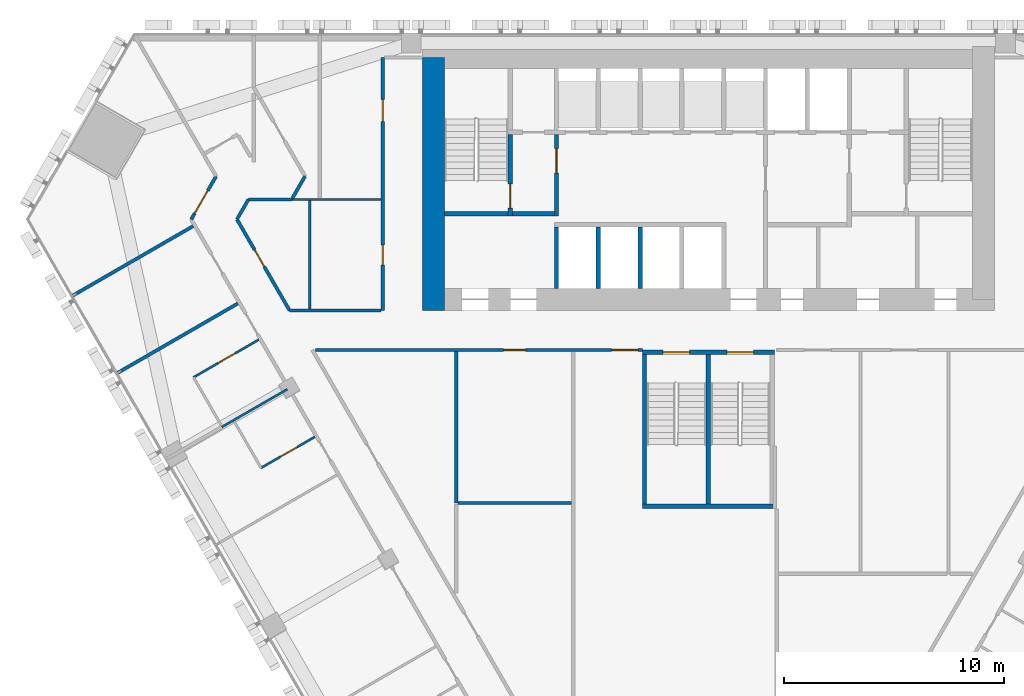
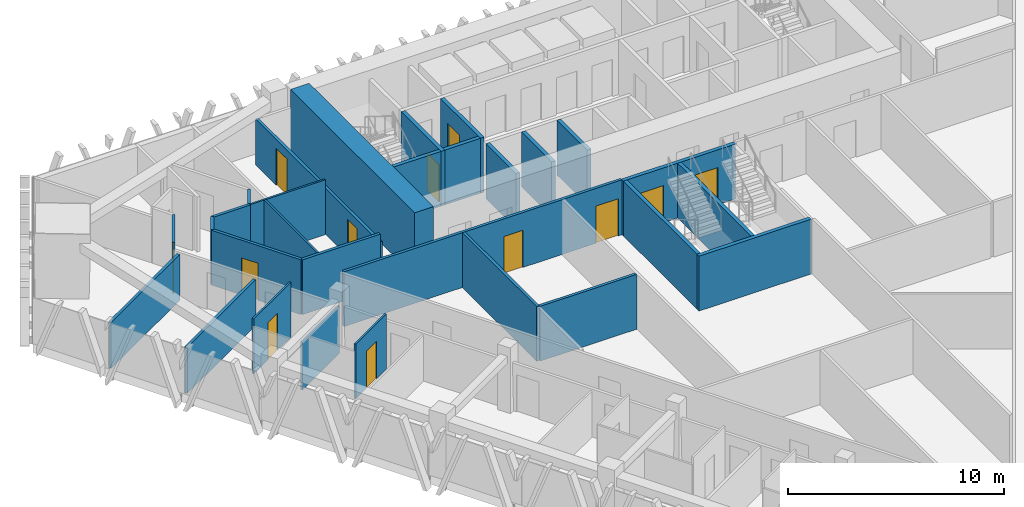
# One storey, part 12 of 18: 29 walls, 12 doors, 12 openings.
"""IFC4 building model written with IfcOpenShell, lengths in metres."""

from ifc_helpers import new_model, si_unit, direction, frame, frame_2d, origin, place, context, subcontext, project, spatial, rectangle, extrude, material, layer, layer_set, type_object, element, fill, save


model = new_model("IFC4")

# Units and contexts
model_context = context("Model", 3, precision=1e-05, world=origin(), true_north=direction((0.0, 1.0)))
body_context = subcontext(model_context, "Body", "Model", "MODEL_VIEW")
ifc_project = project(units=[si_unit("LENGTHUNIT", "METRE"), si_unit("AREAUNIT", "SQUARE_METRE"), si_unit("VOLUMEUNIT", "CUBIC_METRE"), si_unit("PLANEANGLEUNIT", "RADIAN"), si_unit("MASSUNIT", "GRAM", prefix="KILO")], contexts=[model_context])

# Site, building, storey
site_placement = place(None, origin())
site = spatial("IfcSite", under=ifc_project, at=site_placement, CompositionType="ELEMENT")
building_placement = place(site_placement, origin())
building = spatial("IfcBuilding", under=site, at=building_placement, Name="Altiplano Prism Tower", CompositionType="ELEMENT")
storey_placement = place(building_placement, frame((0.0, 0.0, 37.800048828125)))
storey = spatial("IfcBuildingStorey", under=building, at=storey_placement, Name="L08", CompositionType="ELEMENT", Elevation=37.800048828125)

# Wall
ifc_material_1 = material(Name="Concrete C70/85", Category="concrete")
ifc_layer_1 = layer(ifc_material_1, 1.0)
ifc_layer_set_1 = layer_set([ifc_layer_1], Name="Concrete C70/85")
wall_type_1 = type_object("IfcWallType", Name="Core wall 1000", PredefinedType="SHEAR", material=ifc_layer_set_1)
wall_1_placement = place(storey_placement, frame((72.5, 103.89990234375, 0.0), z_axis=(0.0, 0.0, 1.0), x_axis=(0.0, -1.0, 0.0)))
element("IfcWall", 1, at=wall_1_placement, inside=storey, type_object=wall_type_1, Name="Core wall W L08", PredefinedType="SHEAR", context=body_context, shape_type="SweptSolid", body=[
    extrude(rectangle(XDim=11.5, YDim=1.0, at=frame_2d((5.75, 0.0))), origin(), (0.0, 0.0, 1.0), 3.599853515625),
])

# Wall, opening, door
ifc_material_2 = material(Name="Plasterboard on steel stud", Category="steel")
ifc_layer_2 = layer(ifc_material_2, 0.10009765625)
ifc_layer_set_2 = layer_set([ifc_layer_2], Name="Plasterboard on steel stud")
wall_type_2 = type_object("IfcWallType", Name="Partition 100 unit", PredefinedType="PARTITIONING", material=ifc_layer_set_2)
wall_2_placement = place(storey_placement, frame((61.6015625, 89.358642578125, 0.0), z_axis=(0.0, 0.0, 1.0), x_axis=(0.866032454348, 0.499987787867, 0.0)))
wall_2 = element("IfcWall", 2, at=wall_2_placement, inside=storey, type_object=wall_type_2, Name="Partition P02 L08 053", PredefinedType="PARTITIONING", context=body_context, shape_type="SweptSolid", body=[
    extrude(rectangle(XDim=3.4248046875, YDim=0.10009765625, at=frame_2d((1.71240234375, 0.0))), origin(), (0.0, 0.0, 1.0), 3.099853515625),
])
opening_1_placement = place(wall_2_placement, frame((1.300048828125, 0.0, 0.0)))
opening_1 = element("IfcOpeningElement", 3, at=opening_1_placement, cuts=wall_2, Name="Opening D0280", PredefinedType="OPENING", context=body_context, shape_type="SweptSolid", body=[
    extrude(rectangle(XDim=0.89990234375, YDim=2.10009765625, at=frame_2d((0.449951171875, 1.050048828125))), frame((0.0, 0.060546875, 0.0), z_axis=(0.0, -1.0, 0.0), x_axis=(1.0, 0.0, 0.0)), (0.0, 0.0, 1.0), 0.12109375),
])
ifc_material_3 = material(Name="Timber", Category="wood")
door_type_1 = type_object("IfcDoorType", Name="Accessible ensuite door 900 x 2100", OperationType="NOTDEFINED", PredefinedType="NOTDEFINED", material=ifc_material_3)
door_1_placement = place(opening_1_placement, origin())
door_1 = element("IfcDoor", 4, at=door_1_placement, inside=storey, type_object=door_type_1, Name="Door D0280", OperationType="SINGLE_SWING_RIGHT", OverallHeight=2.10009765625, OverallWidth=0.89990234375, PredefinedType="NOTDEFINED", context=body_context, shape_type="SweptSolid", body=[
    extrude(rectangle(XDim=0.89990234375, YDim=2.10009765625, at=frame_2d((0.449951171875, 1.050048828125))), frame((0.0, 0.02490234375, 0.0), z_axis=(0.0, -1.0, 0.0), x_axis=(1.0, 0.0, 0.0)), (0.0, 0.0, 1.0), 0.050048828125),
])
fill(opening_1, door_1)

wall_3_placement = place(storey_placement, frame((67.11767578125, 86.654541015625, 0.0), z_axis=(0.0, 0.0, 1.0), x_axis=(-0.866011447264, -0.500024172624, 0.0)))
wall_3 = element("IfcWall", 5, at=wall_3_placement, inside=storey, type_object=wall_type_2, Name="Partition P02 L08 056", PredefinedType="PARTITIONING", context=body_context, shape_type="SweptSolid", body=[
    extrude(rectangle(XDim=2.824951171875, YDim=0.10009765625, at=frame_2d((1.41259765625, 0.0))), origin(), (0.0, 0.0, 1.0), 3.099853515625),
])
opening_2_placement = place(wall_3_placement, frame((0.925048828125, 0.0, 0.0)))
opening_2 = element("IfcOpeningElement", 6, at=opening_2_placement, cuts=wall_3, Name="Opening D0282", PredefinedType="OPENING", context=body_context, shape_type="SweptSolid", body=[
    extrude(rectangle(XDim=0.89990234375, YDim=2.10009765625, at=frame_2d((0.449951171875, 1.050048828125))), frame((0.0, 0.060546875, 0.0), z_axis=(0.0, -1.0, 0.0), x_axis=(1.0, 0.0, 0.0)), (0.0, 0.0, 1.0), 0.12109375),
])
door_type_2 = type_object("IfcDoorType", Name="Ensuite door 900 x 2100", OperationType="NOTDEFINED", PredefinedType="NOTDEFINED", material=ifc_material_3)
door_2_placement = place(opening_2_placement, origin())
door_2 = element("IfcDoor", 7, at=door_2_placement, inside=storey, type_object=door_type_2, Name="Door D0282", OperationType="SINGLE_SWING_LEFT", OverallHeight=2.10009765625, OverallWidth=0.89990234375, PredefinedType="NOTDEFINED", context=body_context, shape_type="SweptSolid", body=[
    extrude(rectangle(XDim=0.89990234375, YDim=2.10009765625, at=frame_2d((0.449951171875, 1.050048828125))), frame((0.0, 0.02490234375, 0.0), z_axis=(0.0, -1.0, 0.0), x_axis=(1.0, 0.0, 0.0)), (0.0, 0.0, 1.0), 0.050048828125),
])
fill(opening_2, door_2)

# Walls
ifc_layer_3 = layer(ifc_material_2, 0.10009765625)
ifc_layer_set_3 = layer_set([ifc_layer_3], Name="Plasterboard on steel stud")
wall_type_3 = type_object("IfcWallType", Name="Partition 100 wet", PredefinedType="PARTITIONING", material=ifc_layer_set_3)
wall_4_placement = place(storey_placement, frame((66.8876953125, 92.47509765625, 0.0), z_axis=(0.0, 0.0, 1.0), x_axis=(0.0, 1.0, 0.0)))
element("IfcWall", 8, at=wall_4_placement, inside=storey, type_object=wall_type_3, Name="Partition P03 L08 045", PredefinedType="PARTITIONING", context=body_context, shape_type="SweptSolid", body=[
    extrude(rectangle(XDim=4.913330078125, YDim=0.10009765625, at=frame_2d((2.45654296875, 0.0))), origin(), (0.0, 0.0, 1.0), 3.099853515625),
])
wall_5_placement = place(storey_placement, frame((70.125, 97.4384765625, 0.0), z_axis=(0.0, 0.0, 1.0), x_axis=(-1.0, 0.0, 0.0)))
element("IfcWall", 9, at=wall_5_placement, inside=storey, type_object=wall_type_3, Name="Partition P03 L08 046", PredefinedType="PARTITIONING", context=body_context, shape_type="SweptSolid", body=[
    extrude(rectangle(XDim=4.067626953125, YDim=0.10009765625, at=frame_2d((2.03369140625, 0.0))), origin(), (0.0, 0.0, 1.0), 3.099853515625),
])
wall_6_placement = place(storey_placement, frame((62.88427734375, 87.096923828125, 0.0), z_axis=(0.0, 0.0, 1.0), x_axis=(0.866001476168, 0.500041441558, 0.0)))
element("IfcWall", 10, at=wall_6_placement, inside=storey, type_object=wall_type_3, Name="Partition P03 L08 055", PredefinedType="PARTITIONING", context=body_context, shape_type="SweptSolid", body=[
    extrude(rectangle(XDim=3.445068359375, YDim=0.10009765625, at=frame_2d((1.72265625, 0.0))), origin(), (0.0, 0.0, 1.0), 2.699951171875),
])

# Wall, opening, door
ifc_layer_4 = layer(ifc_material_2, 0.14990234375)
ifc_layer_set_4 = layer_set([ifc_layer_4], Name="Plasterboard on steel stud")
wall_type_4 = type_object("IfcWallType", Name="Partition 150 corridor", PredefinedType="PARTITIONING", material=ifc_layer_set_4)
wall_7_placement = place(storey_placement, frame((65.965576171875, 92.39990234375, 0.0), z_axis=(0.0, 0.0, 1.0), x_axis=(-0.499995077365, 0.86602824585, 0.0)))
wall_7 = element("IfcWall", 11, at=wall_7_placement, inside=storey, type_object=wall_type_4, Name="Partition P06 L08 001", PredefinedType="PARTITIONING", context=body_context, shape_type="SweptSolid", body=[
    extrude(rectangle(XDim=4.7802734375, YDim=0.14990234375, at=frame_2d((2.39013671875, 0.0))), origin(), (0.0, 0.0, 1.0), 3.099853515625),
])
opening_3_placement = place(wall_7_placement, frame((2.283935546875, 0.0, 0.0)))
opening_3 = element("IfcOpeningElement", 12, at=opening_3_placement, cuts=wall_7, Name="Opening D0273", PredefinedType="OPENING", context=body_context, shape_type="SweptSolid", body=[
    extrude(rectangle(XDim=0.89990234375, YDim=2.10009765625, at=frame_2d((0.449951171875, 1.050048828125))), frame((0.0, 0.08544921875, 0.0), z_axis=(0.0, -1.0, 0.0), x_axis=(1.0, 0.0, 0.0)), (0.0, 0.0, 1.0), 0.1708984375),
])
door_type_3 = type_object("IfcDoorType", Name="Toilet door 900 x 2100", OperationType="NOTDEFINED", PredefinedType="NOTDEFINED", material=ifc_material_3)
door_3_placement = place(opening_3_placement, origin())
door_3 = element("IfcDoor", 13, at=door_3_placement, inside=storey, type_object=door_type_3, Name="Door D0273", OperationType="SINGLE_SWING_RIGHT", OverallHeight=2.10009765625, OverallWidth=0.89990234375, PredefinedType="NOTDEFINED", context=body_context, shape_type="SweptSolid", body=[
    extrude(rectangle(XDim=0.89990234375, YDim=2.10009765625, at=frame_2d((0.449951171875, 1.050048828125))), frame((0.0, 0.02490234375, 0.0), z_axis=(0.0, -1.0, 0.0), x_axis=(1.0, 0.0, 0.0)), (0.0, 0.0, 1.0), 0.050048828125),
])
fill(opening_3, door_3)

# Walls
wall_8_placement = place(storey_placement, frame((63.575439453125, 96.539794921875, 0.0), z_axis=(0.0, 0.0, 1.0), x_axis=(0.499960060149, 0.86604846184, 0.0)))
element("IfcWall", 14, at=wall_8_placement, inside=storey, type_object=wall_type_4, Name="Partition P06 L08 002", PredefinedType="PARTITIONING", context=body_context, shape_type="SweptSolid", body=[
    extrude(rectangle(XDim=1.03759765625, YDim=0.14990234375, at=frame_2d((0.518798828125, 0.0))), origin(), (0.0, 0.0, 1.0), 3.099853515625),
])
wall_9_placement = place(storey_placement, frame((64.09423828125, 97.4384765625, 0.0), z_axis=(0.0, 0.0, 1.0), x_axis=(1.0, 0.0, 0.0)))
element("IfcWall", 15, at=wall_9_placement, inside=storey, type_object=wall_type_4, Name="Partition P06 L08 003", PredefinedType="PARTITIONING", context=body_context, shape_type="SweptSolid", body=[
    extrude(rectangle(XDim=1.986083984375, YDim=0.14990234375, at=frame_2d((0.9931640625, 0.0))), origin(), (0.0, 0.0, 1.0), 3.099853515625),
])
wall_10_placement = place(storey_placement, frame((70.125, 92.39990234375, 0.0), z_axis=(0.0, 0.0, 1.0), x_axis=(-1.0, 0.0, 0.0)))
element("IfcWall", 16, at=wall_10_placement, inside=storey, type_object=wall_type_4, Name="Partition P06 L08 004", PredefinedType="PARTITIONING", context=body_context, shape_type="SweptSolid", body=[
    extrude(rectangle(XDim=4.159423828125, YDim=0.14990234375, at=frame_2d((2.07958984375, 0.0))), origin(), (0.0, 0.0, 1.0), 3.099853515625),
])
wall_11_placement = place(storey_placement, frame((66.095458984375, 97.504638671875, 0.0), z_axis=(0.0, 0.0, 1.0), x_axis=(0.500022773673, 0.866012254999, 0.0)))
element("IfcWall", 17, at=wall_11_placement, inside=storey, type_object=wall_type_4, Name="Partition P06 L08 009", PredefinedType="PARTITIONING", context=body_context, shape_type="SweptSolid", body=[
    extrude(rectangle(XDim=1.1494140625, YDim=0.14990234375, at=frame_2d((0.57470703125, 0.0))), origin(), (0.0, 0.0, 1.0), 3.099853515625),
])

# Wall, opening, door
wall_12_placement = place(storey_placement, frame((62.628662109375, 98.5, 0.0), z_axis=(0.0, 0.0, 1.0), x_axis=(-0.499955884205, -0.866050872552, 0.0)))
wall_12 = element("IfcWall", 18, at=wall_12_placement, inside=storey, type_object=wall_type_4, Name="Partition P06 L08 013", PredefinedType="PARTITIONING", context=body_context, shape_type="SweptSolid", body=[
    extrude(rectangle(XDim=2.263427734375, YDim=0.14990234375, at=frame_2d((1.1318359375, 0.0))), origin(), (0.0, 0.0, 1.0), 3.099853515625),
])
opening_4_placement = place(wall_12_placement, frame((0.758056640625, 0.0, 0.0)))
opening_4 = element("IfcOpeningElement", 19, at=opening_4_placement, cuts=wall_12, Name="Opening D0277", PredefinedType="OPENING", context=body_context, shape_type="SweptSolid", body=[
    extrude(rectangle(XDim=1.199951171875, YDim=2.10009765625, at=frame_2d((0.60009765625, 1.050048828125))), frame((0.0, 0.08544921875, 0.0), z_axis=(0.0, -1.0, 0.0), x_axis=(1.0, 0.0, 0.0)), (0.0, 0.0, 1.0), 0.1708984375),
])
door_type_4 = type_object("IfcDoorType", Name="Shared room door 1200 x 2100", OperationType="NOTDEFINED", PredefinedType="NOTDEFINED", material=ifc_material_3)
door_4_placement = place(opening_4_placement, origin())
door_4 = element("IfcDoor", 20, at=door_4_placement, inside=storey, type_object=door_type_4, Name="Door D0277", OperationType="SINGLE_SWING_RIGHT", OverallHeight=2.10009765625, OverallWidth=1.199951171875, PredefinedType="NOTDEFINED", context=body_context, shape_type="SweptSolid", body=[
    extrude(rectangle(XDim=1.199951171875, YDim=2.10009765625, at=frame_2d((0.60009765625, 1.050048828125))), frame((0.0, 0.02490234375, 0.0), z_axis=(0.0, -1.0, 0.0), x_axis=(1.0, 0.0, 0.0)), (0.0, 0.0, 1.0), 0.050048828125),
])
fill(opening_4, door_4)

# Wall, openings, doors
wall_13_placement = place(storey_placement, frame((67.134765625, 90.60009765625, 0.0), z_axis=(0.0, 0.0, 1.0), x_axis=(0.999999997842, -6.569439e-05, 0.0)))
wall_13 = element("IfcWall", 21, at=wall_13_placement, inside=storey, type_object=wall_type_4, Name="Partition P06 L08 040", PredefinedType="PARTITIONING", context=body_context, shape_type="SweptSolid", body=[
    extrude(rectangle(XDim=14.865234375, YDim=0.14990234375, at=frame_2d((7.4326171875, 0.0))), origin(), (0.0, 0.0, 1.0), 3.099853515625),
])
opening_5_placement = place(wall_13_placement, frame((13.465087890625, 0.0, 0.0)))
opening_5 = element("IfcOpeningElement", 22, at=opening_5_placement, cuts=wall_13, Name="Opening D0309", PredefinedType="OPENING", context=body_context, shape_type="SweptSolid", body=[
    extrude(rectangle(XDim=1.199951171875, YDim=2.10009765625, at=frame_2d((0.60009765625, 1.050048828125))), frame((0.0, 0.08544921875, 0.0), z_axis=(0.0, -1.0, 0.0), x_axis=(1.0, 0.0, 0.0)), (0.0, 0.0, 1.0), 0.1708984375),
])
opening_6_placement = place(wall_13_placement, frame((8.56201171875, 0.0, 0.0)))
opening_6 = element("IfcOpeningElement", 23, at=opening_6_placement, cuts=wall_13, Name="Opening D0319", PredefinedType="OPENING", context=body_context, shape_type="SweptSolid", body=[
    extrude(rectangle(XDim=1.0, YDim=2.10009765625, at=frame_2d((0.5, 1.050048828125))), frame((0.0, 0.08544921875, 0.0), z_axis=(0.0, -1.0, 0.0), x_axis=(1.0, 0.0, 0.0)), (0.0, 0.0, 1.0), 0.1708984375),
])
door_type_5 = type_object("IfcDoorType", Name="Room door 1000 x 2100", OperationType="NOTDEFINED", PredefinedType="NOTDEFINED", material=ifc_material_3)
door_5_placement = place(opening_6_placement, origin())
door_5 = element("IfcDoor", 24, at=door_5_placement, inside=storey, type_object=door_type_5, Name="Door D0319", OperationType="SINGLE_SWING_LEFT", OverallHeight=2.10009765625, OverallWidth=1.0, PredefinedType="NOTDEFINED", context=body_context, shape_type="SweptSolid", body=[
    extrude(rectangle(XDim=1.0, YDim=2.10009765625, at=frame_2d((0.5, 1.050048828125))), frame((0.0, 0.02490234375, 0.0), z_axis=(0.0, -1.0, 0.0), x_axis=(1.0, 0.0, 0.0)), (0.0, 0.0, 1.0), 0.050048828125),
])
fill(opening_6, door_5)
door_6_placement = place(opening_5_placement, origin())
door_6 = element("IfcDoor", 25, at=door_6_placement, inside=storey, type_object=door_type_4, Name="Door D0309", OperationType="SINGLE_SWING_LEFT", OverallHeight=2.10009765625, OverallWidth=1.199951171875, PredefinedType="NOTDEFINED", context=body_context, shape_type="SweptSolid", body=[
    extrude(rectangle(XDim=1.199951171875, YDim=2.10009765625, at=frame_2d((0.60009765625, 1.050048828125))), frame((0.0, 0.02490234375, 0.0), z_axis=(0.0, -1.0, 0.0), x_axis=(1.0, 0.0, 0.0)), (0.0, 0.0, 1.0), 0.050048828125),
])
fill(opening_5, door_6)

wall_14_placement = place(storey_placement, frame((70.199951171875, 103.89990234375, 0.0), z_axis=(0.0, 0.0, 1.0), x_axis=(0.0, -1.0, 0.0)))
wall_14 = element("IfcWall", 26, at=wall_14_placement, inside=storey, type_object=wall_type_4, Name="Partition P06 L08 044", PredefinedType="PARTITIONING", context=body_context, shape_type="SweptSolid", body=[
    extrude(rectangle(XDim=11.5, YDim=0.14990234375, at=frame_2d((5.75, 0.0))), origin(), (0.0, 0.0, 1.0), 2.599853515625),
])
opening_7_placement = place(wall_14_placement, frame((8.531005859375, 0.0, 0.0)))
opening_7 = element("IfcOpeningElement", 27, at=opening_7_placement, cuts=wall_14, Name="Opening D0274", PredefinedType="OPENING", context=body_context, shape_type="SweptSolid", body=[
    extrude(rectangle(XDim=0.89990234375, YDim=2.10009765625, at=frame_2d((0.449951171875, 1.050048828125))), frame((0.0, 0.08544921875, 0.0), z_axis=(0.0, -1.0, 0.0), x_axis=(1.0, 0.0, 0.0)), (0.0, 0.0, 1.0), 0.1708984375),
])
opening_8_placement = place(wall_14_placement, frame((1.909912109375, 0.0, 0.0)))
opening_8 = element("IfcOpeningElement", 28, at=opening_8_placement, cuts=wall_14, Name="Opening D0322", PredefinedType="OPENING", context=body_context, shape_type="SweptSolid", body=[
    extrude(rectangle(XDim=1.0, YDim=2.10009765625, at=frame_2d((0.5, 1.050048828125))), frame((0.0, 0.08544921875, 0.0), z_axis=(0.0, -1.0, 0.0), x_axis=(1.0, 0.0, 0.0)), (0.0, 0.0, 1.0), 0.1708984375),
])
door_type_6 = type_object("IfcDoorType", Name="Store door 1000 x 2100", OperationType="NOTDEFINED", PredefinedType="NOTDEFINED", material=ifc_material_3)
door_7_placement = place(opening_8_placement, origin())
door_7 = element("IfcDoor", 29, at=door_7_placement, inside=storey, type_object=door_type_6, Name="Door D0322", OperationType="SINGLE_SWING_LEFT", OverallHeight=2.10009765625, OverallWidth=1.0, PredefinedType="NOTDEFINED", context=body_context, shape_type="SweptSolid", body=[
    extrude(rectangle(XDim=1.0, YDim=2.10009765625, at=frame_2d((0.5, 1.050048828125))), frame((0.0, 0.02490234375, 0.0), z_axis=(0.0, -1.0, 0.0), x_axis=(1.0, 0.0, 0.0)), (0.0, 0.0, 1.0), 0.050048828125),
])
fill(opening_8, door_7)
door_8_placement = place(opening_7_placement, origin())
door_8 = element("IfcDoor", 30, at=door_8_placement, inside=storey, type_object=door_type_3, Name="Door D0274", OperationType="SINGLE_SWING_LEFT", OverallHeight=2.10009765625, OverallWidth=0.89990234375, PredefinedType="NOTDEFINED", context=body_context, shape_type="SweptSolid", body=[
    extrude(rectangle(XDim=0.89990234375, YDim=2.10009765625, at=frame_2d((0.449951171875, 1.050048828125))), frame((0.0, 0.02490234375, 0.0), z_axis=(0.0, -1.0, 0.0), x_axis=(1.0, 0.0, 0.0)), (0.0, 0.0, 1.0), 0.050048828125),
])
fill(opening_7, door_8)

# Walls
ifc_layer_5 = layer(ifc_material_2, 0.14990234375)
ifc_layer_set_5 = layer_set([ifc_layer_5], Name="Plasterboard on steel stud")
wall_type_5 = type_object("IfcWallType", Name="Partition 150 party", PredefinedType="PARTITIONING", material=ifc_layer_set_5)
for number, where, z_axis, x_axis, name in (
    (31, (56.091552734375, 93.061767578125, 0.0), (0.0, 0.0, 1.0), (0.866025401434, 0.500000004071, 0.0), "Partition P01 L08 050"),
    (32, (58.12255859375, 89.5439453125, 0.0), (0.0, 0.0, 1.0), (0.866025401434, 0.500000004071, 0.0), "Partition P01 L08 051"),
):
    element("IfcWall", number, at=place(storey_placement, frame(where, z_axis=z_axis, x_axis=x_axis)), inside=storey, type_object=wall_type_5, Name=name, PredefinedType="PARTITIONING", context=body_context, shape_type="SweptSolid", body=[
        extrude(rectangle(XDim=6.34521484375, YDim=0.14990234375, at=frame_2d((3.172607421875, 0.0))), origin(), (0.0, 0.0, 1.0), 2.599853515625),
    ])
wall_15_placement = place(storey_placement, frame((78.778564453125, 83.649658203125, 0.0), z_axis=(0.0, 0.0, 1.0), x_axis=(-1.0, 0.0, 0.0)))
element("IfcWall", 33, at=wall_15_placement, inside=storey, type_object=wall_type_5, Name="Partition P01 L08 109", PredefinedType="PARTITIONING", context=body_context, shape_type="SweptSolid", body=[
    extrude(rectangle(XDim=5.16357421875, YDim=0.14990234375, at=frame_2d((2.581787109375, 0.0))), origin(), (0.0, 0.0, 1.0), 3.099853515625),
])
wall_16_placement = place(storey_placement, frame((73.539794921875, 83.649658203125, 0.0), z_axis=(0.0, 0.0, 1.0), x_axis=(0.0, 1.0, 0.0)))
element("IfcWall", 34, at=wall_16_placement, inside=storey, type_object=wall_type_5, Name="Partition P01 L08 115", PredefinedType="PARTITIONING", context=body_context, shape_type="SweptSolid", body=[
    extrude(rectangle(XDim=6.875, YDim=0.14990234375, at=frame_2d((3.4375, 0.0))), origin(), (0.0, 0.0, 1.0), 3.099853515625),
])
ifc_material_4 = material(Name="Concrete C60/75", Category="concrete")
ifc_layer_6 = layer(ifc_material_4, 0.199951171875)
ifc_layer_set_6 = layer_set([ifc_layer_6], Name="Concrete C60/75")
wall_type_6 = type_object("IfcWallType", Name="Shaft wall 200", PredefinedType="SOLIDWALL", material=ifc_layer_set_6)
for number, where, z_axis, x_axis, name in (
    (35, (78.10009765625, 93.39990234375, 0.0), (0.0, 0.0, 1.0), (0.0, 1.0, 0.0), "Shaft wall L08"),
    (36, (80.0, 93.39990234375, 0.0), (0.0, 0.0, 1.0), (0.0, 1.0, 0.0), "Shaft wall L08"),
    (37, (81.89990234375, 93.39990234375, 0.0), (0.0, 0.0, 1.0), (0.0, 1.0, 0.0), "Shaft wall L08"),
):
    element("IfcWall", number, at=place(storey_placement, frame(where, z_axis=z_axis, x_axis=x_axis)), inside=storey, type_object=wall_type_6, Name=name, PredefinedType="SOLIDWALL", context=body_context, shape_type="SweptSolid", body=[
        extrude(rectangle(XDim=2.800048828125, YDim=0.199951171875, at=frame_2d((1.39990234375, 0.0))), origin(), (0.0, 0.0, 1.0), 3.099853515625),
    ])
ifc_layer_7 = layer(ifc_material_4, 0.199951171875)
ifc_layer_set_7 = layer_set([ifc_layer_7], Name="Concrete C60/75")
wall_type_7 = type_object("IfcWallType", Name="Stair wall 200", PredefinedType="SOLIDWALL", material=ifc_layer_set_7)
wall_17_placement = place(storey_placement, frame((73.0, 96.800048828125, 0.0), z_axis=(0.0, 0.0, 1.0), x_axis=(1.0, 0.0, 0.0)))
element("IfcWall", 38, at=wall_17_placement, inside=storey, type_object=wall_type_7, Name="Stair wall L08", PredefinedType="SOLIDWALL", context=body_context, shape_type="SweptSolid", body=[
    extrude(rectangle(XDim=2.89990234375, YDim=0.199951171875, at=frame_2d((1.449951171875, 0.0))), origin(), (0.0, 0.0, 1.0), 3.099853515625),
])

# Wall, opening, door
wall_18_placement = place(storey_placement, frame((76.0, 96.699951171875, 0.0), z_axis=(0.0, 0.0, 1.0), x_axis=(0.0, 1.0, 0.0)))
wall_18 = element("IfcWall", 39, at=wall_18_placement, inside=storey, type_object=wall_type_7, Name="Stair wall L08", PredefinedType="SOLIDWALL", context=body_context, shape_type="SweptSolid", body=[
    extrude(rectangle(XDim=3.699951171875, YDim=0.199951171875, at=frame_2d((1.85009765625, 0.0))), origin(), (0.0, 0.0, 1.0), 3.099853515625),
])
opening_9_placement = place(wall_18_placement, frame((0.35009765625, 0.0, 0.0)))
opening_9 = element("IfcOpeningElement", 40, at=opening_9_placement, cuts=wall_18, Name="Opening D2694", PredefinedType="OPENING", context=body_context, shape_type="SweptSolid", body=[
    extrude(rectangle(XDim=1.10009765625, YDim=2.10009765625, at=frame_2d((0.550048828125, 1.050048828125))), frame((0.0, 0.1103515625, 0.0), z_axis=(0.0, -1.0, 0.0), x_axis=(1.0, 0.0, 0.0)), (0.0, 0.0, 1.0), 0.220947265625),
])
ifc_material_5 = material(Name="Fire-rated steel door", Category="steel")
door_type_7 = type_object("IfcDoorType", Name="Stair fire door 1100 x 2100", OperationType="NOTDEFINED", PredefinedType="NOTDEFINED", material=ifc_material_5)
door_9_placement = place(opening_9_placement, origin())
door_9 = element("IfcDoor", 41, at=door_9_placement, inside=storey, type_object=door_type_7, Name="Stair fire door D2694", OperationType="SINGLE_SWING_RIGHT", OverallHeight=2.10009765625, OverallWidth=1.10009765625, PredefinedType="NOTDEFINED", context=body_context, shape_type="SweptSolid", body=[
    extrude(rectangle(XDim=1.10009765625, YDim=2.10009765625, at=frame_2d((0.550048828125, 1.050048828125))), frame((0.0, 0.02490234375, 0.0), z_axis=(0.0, -1.0, 0.0), x_axis=(1.0, 0.0, 0.0)), (0.0, 0.0, 1.0), 0.050048828125),
])
fill(opening_9, door_9)

# Wall, openings, doors
wall_19_placement = place(storey_placement, frame((82.0, 90.5, 0.0), z_axis=(0.0, 0.0, 1.0), x_axis=(1.0, 0.0, 0.0)))
wall_19 = element("IfcWall", 42, at=wall_19_placement, inside=storey, type_object=wall_type_7, Name="Stair 3 wall north L08", PredefinedType="SOLIDWALL", context=body_context, shape_type="SweptSolid", body=[
    extrude(rectangle(XDim=6.0, YDim=0.199951171875, at=frame_2d((3.0, 0.0))), origin(), (0.0, 0.0, 1.0), 3.099853515625),
])
opening_10_placement = place(wall_19_placement, frame((0.949951171875, 0.0, 0.0)))
opening_10 = element("IfcOpeningElement", 43, at=opening_10_placement, cuts=wall_19, Name="Opening D3938", PredefinedType="OPENING", context=body_context, shape_type="SweptSolid", body=[
    extrude(rectangle(XDim=1.199951171875, YDim=2.10009765625, at=frame_2d((0.60009765625, 1.050048828125))), frame((0.0, 0.1103515625, 0.0), z_axis=(0.0, -1.0, 0.0), x_axis=(1.0, 0.0, 0.0)), (0.0, 0.0, 1.0), 0.220947265625),
])
opening_11_placement = place(wall_19_placement, frame((3.85009765625, 0.0, 0.0)))
opening_11 = element("IfcOpeningElement", 44, at=opening_11_placement, cuts=wall_19, Name="Opening D3939", PredefinedType="OPENING", context=body_context, shape_type="SweptSolid", body=[
    extrude(rectangle(XDim=1.199951171875, YDim=2.10009765625, at=frame_2d((0.60009765625, 1.050048828125))), frame((0.0, 0.1103515625, 0.0), z_axis=(0.0, -1.0, 0.0), x_axis=(1.0, 0.0, 0.0)), (0.0, 0.0, 1.0), 0.220947265625),
])
door_type_8 = type_object("IfcDoorType", Name="Stair fire door 1200 x 2100", OperationType="NOTDEFINED", PredefinedType="NOTDEFINED", material=ifc_material_5)
door_10_placement = place(opening_10_placement, origin())
door_10 = element("IfcDoor", 45, at=door_10_placement, inside=storey, type_object=door_type_8, Name="Stair fire door D3938", OperationType="SINGLE_SWING_LEFT", OverallHeight=2.10009765625, OverallWidth=1.199951171875, PredefinedType="NOTDEFINED", context=body_context, shape_type="SweptSolid", body=[
    extrude(rectangle(XDim=1.199951171875, YDim=2.10009765625, at=frame_2d((0.60009765625, 1.050048828125))), frame((0.0, 0.02490234375, 0.0), z_axis=(0.0, -1.0, 0.0), x_axis=(1.0, 0.0, 0.0)), (0.0, 0.0, 1.0), 0.050048828125),
])
fill(opening_10, door_10)
door_11_placement = place(opening_11_placement, origin())
door_11 = element("IfcDoor", 46, at=door_11_placement, inside=storey, type_object=door_type_8, Name="Stair fire door D3939", OperationType="SINGLE_SWING_LEFT", OverallHeight=2.10009765625, OverallWidth=1.199951171875, PredefinedType="NOTDEFINED", context=body_context, shape_type="SweptSolid", body=[
    extrude(rectangle(XDim=1.199951171875, YDim=2.10009765625, at=frame_2d((0.60009765625, 1.050048828125))), frame((0.0, 0.02490234375, 0.0), z_axis=(0.0, -1.0, 0.0), x_axis=(1.0, 0.0, 0.0)), (0.0, 0.0, 1.0), 0.050048828125),
])
fill(opening_11, door_11)

# Walls
wall_20_placement = place(storey_placement, frame((82.0, 83.5, 0.0), z_axis=(0.0, 0.0, 1.0), x_axis=(1.0, 0.0, 0.0)))
element("IfcWall", 47, at=wall_20_placement, inside=storey, type_object=wall_type_7, Name="Stair 3 wall south L08", PredefinedType="SOLIDWALL", context=body_context, shape_type="SweptSolid", body=[
    extrude(rectangle(XDim=6.0, YDim=0.199951171875, at=frame_2d((3.0, 0.0))), origin(), (0.0, 0.0, 1.0), 3.099853515625),
])
for number, where, z_axis, x_axis, name in (
    (48, (82.10009765625, 83.60009765625, 0.0), (0.0, 0.0, 1.0), (0.0, 1.0, 0.0), "Stair 3 wall west L08"),
    (49, (85.0, 83.60009765625, 0.0), (0.0, 0.0, 1.0), (0.0, 1.0, 0.0), "Stair 3 wall divider L08"),
):
    element("IfcWall", number, at=place(storey_placement, frame(where, z_axis=z_axis, x_axis=x_axis)), inside=storey, type_object=wall_type_7, Name=name, PredefinedType="SOLIDWALL", context=body_context, shape_type="SweptSolid", body=[
        extrude(rectangle(XDim=6.7998046875, YDim=0.199951171875, at=frame_2d((3.39990234375, 0.0))), origin(), (0.0, 0.0, 1.0), 3.099853515625),
    ])
ifc_layer_8 = layer(ifc_material_4, 0.199951171875)
ifc_layer_set_8 = layer_set([ifc_layer_8], Name="Concrete C60/75")
wall_type_8 = type_object("IfcWallType", Name="Vestibule wall 200", PredefinedType="PARTITIONING", material=ifc_layer_set_8)
wall_21_placement = place(storey_placement, frame((76.10009765625, 96.800048828125, 0.0), z_axis=(0.0, 0.0, 1.0), x_axis=(1.0, 0.0, 0.0)))
element("IfcWall", 50, at=wall_21_placement, inside=storey, type_object=wall_type_8, Name="Vestibule wall L08", PredefinedType="PARTITIONING", context=body_context, shape_type="SweptSolid", body=[
    extrude(rectangle(XDim=1.89990234375, YDim=0.199951171875, at=frame_2d((0.949951171875, 0.0))), origin(), (0.0, 0.0, 1.0), 3.099853515625),
])

# Wall, opening, door
wall_22_placement = place(storey_placement, frame((78.10009765625, 96.699951171875, 0.0), z_axis=(0.0, 0.0, 1.0), x_axis=(0.0, 1.0, 0.0)))
wall_22 = element("IfcWall", 51, at=wall_22_placement, inside=storey, type_object=wall_type_8, Name="Vestibule wall L08", PredefinedType="PARTITIONING", context=body_context, shape_type="SweptSolid", body=[
    extrude(rectangle(XDim=3.699951171875, YDim=0.199951171875, at=frame_2d((1.85009765625, 0.0))), origin(), (0.0, 0.0, 1.0), 3.099853515625),
])
opening_12_placement = place(wall_22_placement, frame((1.949951171875, 0.0, 0.0)))
opening_12 = element("IfcOpeningElement", 52, at=opening_12_placement, cuts=wall_22, Name="Opening D2696", PredefinedType="OPENING", context=body_context, shape_type="SweptSolid", body=[
    extrude(rectangle(XDim=1.10009765625, YDim=2.10009765625, at=frame_2d((0.550048828125, 1.050048828125))), frame((0.0, 0.1103515625, 0.0), z_axis=(0.0, -1.0, 0.0), x_axis=(1.0, 0.0, 0.0)), (0.0, 0.0, 1.0), 0.220947265625),
])
door_type_9 = type_object("IfcDoorType", Name="Vestibule fire door 1100 x 2100", OperationType="NOTDEFINED", PredefinedType="NOTDEFINED", material=ifc_material_5)
door_12_placement = place(opening_12_placement, origin())
door_12 = element("IfcDoor", 53, at=door_12_placement, inside=storey, type_object=door_type_9, Name="Vestibule fire door D2696", OperationType="SINGLE_SWING_LEFT", OverallHeight=2.10009765625, OverallWidth=1.10009765625, PredefinedType="NOTDEFINED", context=body_context, shape_type="SweptSolid", body=[
    extrude(rectangle(XDim=1.10009765625, YDim=2.10009765625, at=frame_2d((0.550048828125, 1.050048828125))), frame((0.0, 0.02490234375, 0.0), z_axis=(0.0, -1.0, 0.0), x_axis=(1.0, 0.0, 0.0)), (0.0, 0.0, 1.0), 0.050048828125),
])
fill(opening_12, door_12)

save(model, "model.ifc")
